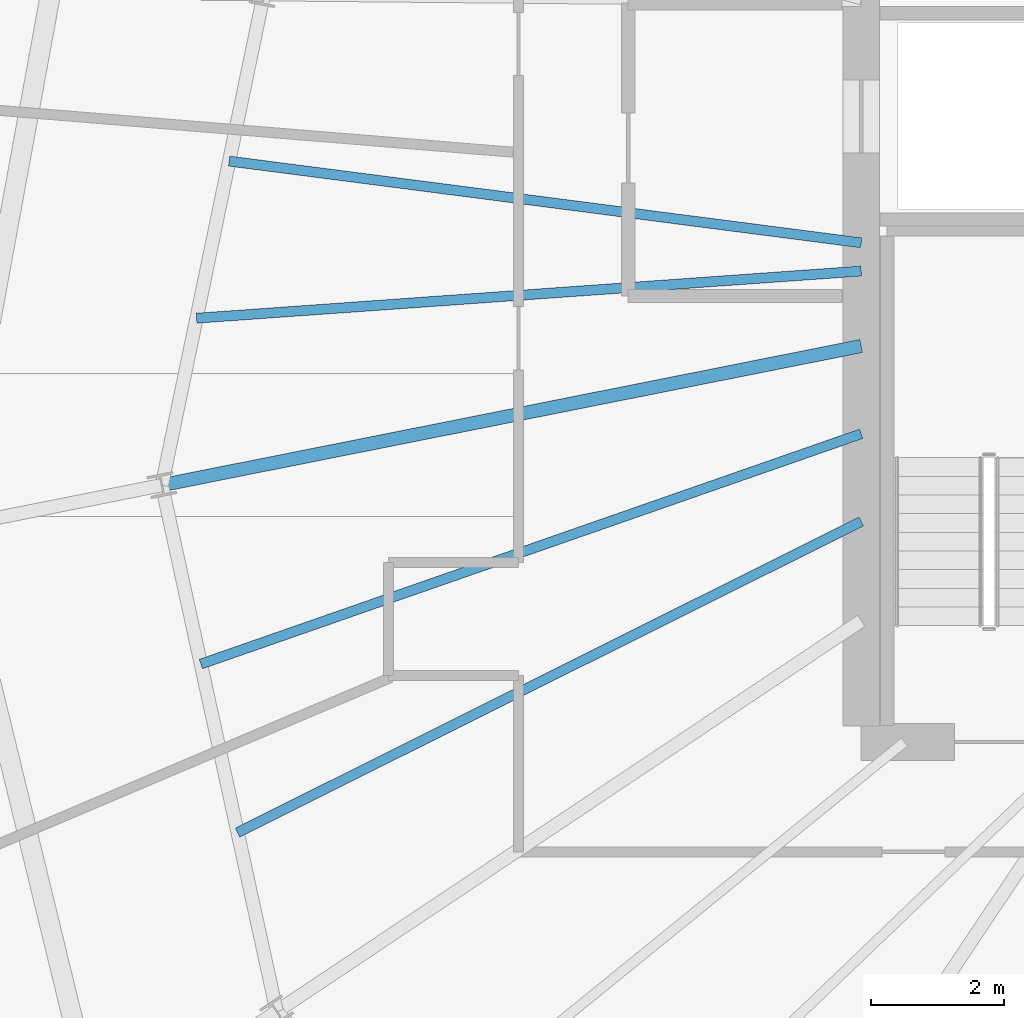
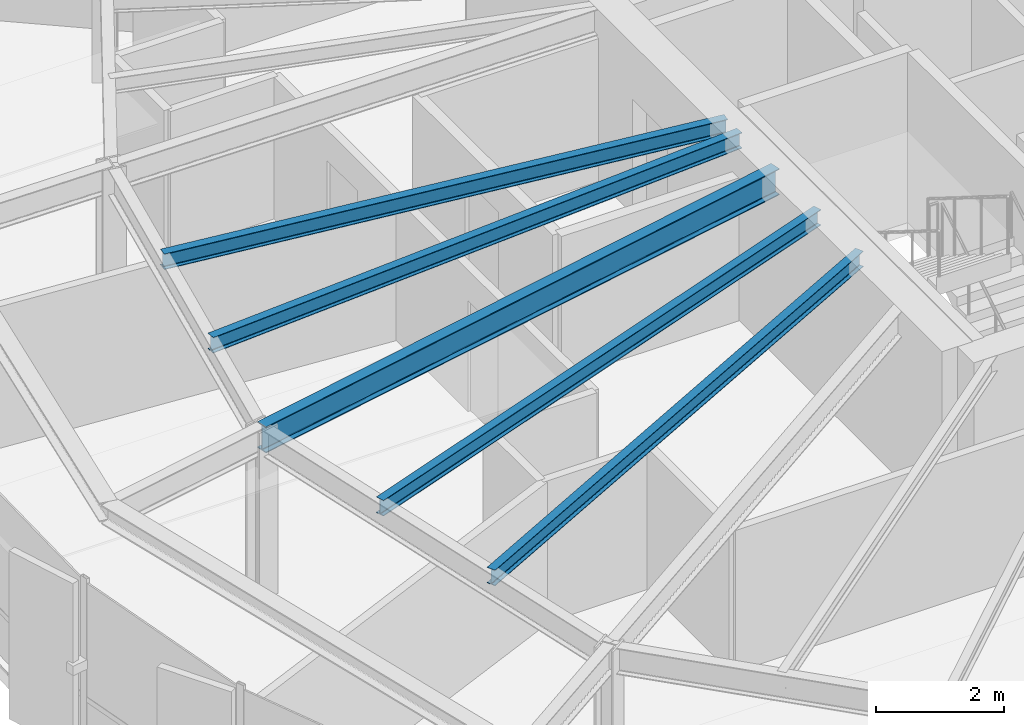
# One storey, part 10 of 35: 5 beams.
"""IFC4 building model written with IfcOpenShell, lengths in metres."""

from ifc_helpers import new_model, si_unit, direction, frame, origin, origin_2d, place, context, subcontext, project, spatial, i_section, extrude, source, transform, mapped, material, material_profile, profile_set, type_object, element, save


model = new_model("IFC4")

# Units and contexts
model_context = context("Model", 3, precision=1e-05, world=origin(), true_north=direction((0.0, 1.0)))
body_context = subcontext(model_context, "Body", "Model", "MODEL_VIEW")
ifc_project = project(units=[si_unit("LENGTHUNIT", "METRE"), si_unit("AREAUNIT", "SQUARE_METRE"), si_unit("VOLUMEUNIT", "CUBIC_METRE"), si_unit("PLANEANGLEUNIT", "RADIAN"), si_unit("MASSUNIT", "GRAM", prefix="KILO"), si_unit("THERMODYNAMICTEMPERATUREUNIT", "KELVIN")], contexts=[model_context])

# Site, building, storey
site_placement = place(None, origin())
site = spatial("IfcSite", under=ifc_project, at=site_placement, CompositionType="ELEMENT")
building_placement = place(site_placement, origin())
building = spatial("IfcBuilding", under=site, at=building_placement, Name="Kethvar Cultural Tower", CompositionType="ELEMENT")
storey_placement = place(building_placement, frame((0.0, 0.0, 193.89990234375)))
storey = spatial("IfcBuildingStorey", under=building, at=storey_placement, Name="L50", CompositionType="ELEMENT", Elevation=193.89990234375)

# Beams
ifc_material = material(Name="Steel S355J2", Category="steel")
ifc_material_profile_1 = material_profile(ifc_material, i_section(OverallWidth=0.199951171875, OverallDepth=0.5, WebThickness=0.01025390625, FlangeThickness=0.01611328125, FilletRadius=0.02099609375, at=origin_2d()), Name="Steel S355J2 — IPE500")
ifc_profile_set_1 = profile_set([ifc_material_profile_1], Name="Steel S355J2 — IPE500")
beam_type_1 = type_object("IfcBeamType", Name="BM-IPE500", PredefinedType="BEAM", material=ifc_profile_set_1)
shared_shape_1 = source(origin(), body_context, "Body", "SweptSolid", [
    extrude(i_section(OverallWidth=0.199951171875, OverallDepth=0.5, WebThickness=0.01025390625, FlangeThickness=0.01611328125, FilletRadius=0.02099609375, at=origin_2d()), origin(), (0.0, 0.0, 1.0), 10.712890625),
])
beam_1_placement = place(storey_placement, frame((38.0, 26.049560546875, 3.008056640625), z_axis=(-0.980787859831, -0.195077353908, 0.0), x_axis=(0.195077353908, -0.980787859831, 0.0)))
element("IfcBeam", 1, at=beam_1_placement, inside=storey, type_object=beam_type_1, Name="L50 Primary Radial Beam RB-09", PredefinedType="BEAM", context=body_context, shape_type="MappedRepresentation", body=[
    mapped(shared_shape_1, transform((0.0, 0.0, 0.0), scale=1.0)),
])
ifc_material_profile_2 = material_profile(ifc_material, i_section(OverallWidth=0.14990234375, OverallDepth=0.300048828125, WebThickness=0.007080078125, FlangeThickness=0.0107421875, FilletRadius=0.014892578125, at=origin_2d()), Name="Steel S355J2 — IPE300")
ifc_profile_set_2 = profile_set([ifc_material_profile_2], Name="Steel S355J2 — IPE300")
beam_type_2 = type_object("IfcBeamType", Name="BM-J300", PredefinedType="JOIST", material=ifc_profile_set_2)
shared_shape_2 = source(origin(), body_context, "Body", "SweptSolid", [
    extrude(i_section(OverallWidth=0.14990234375, OverallDepth=0.300048828125, WebThickness=0.007080078125, FlangeThickness=0.0107421875, FilletRadius=0.014892578125, at=origin_2d()), origin(), (0.0, 0.0, 1.0), 9.5751953125),
])
beam_2_placement = place(storey_placement, frame((38.0, 27.60009765625, 3.108154296875), z_axis=(-0.991744950922, 0.128226176424, 0.0), x_axis=(-0.128226176424, -0.991744950922, 0.0)))
element("IfcBeam", 2, at=beam_2_placement, inside=storey, type_object=beam_type_2, Name="L50 Composite Floor Joist J-08A", PredefinedType="JOIST", context=body_context, shape_type="MappedRepresentation", body=[
    mapped(shared_shape_2, transform((0.0, 0.0, 0.0), scale=1.0)),
])
shared_shape_3 = source(origin(), body_context, "Body", "SweptSolid", [
    extrude(i_section(OverallWidth=0.14990234375, OverallDepth=0.300048828125, WebThickness=0.007080078125, FlangeThickness=0.0107421875, FilletRadius=0.014892578125, at=origin_2d()), origin(), (0.0, 0.0, 1.0), 10.01123046875),
])
beam_3_placement = place(storey_placement, frame((38.0, 27.17578125, 3.108154296875), z_axis=(-0.997494349679, -0.070746182637, 0.0), x_axis=(0.070746182637, -0.997494349679, 0.0)))
element("IfcBeam", 3, at=beam_3_placement, inside=storey, type_object=beam_type_2, Name="L50 Composite Floor Joist J-08B", PredefinedType="JOIST", context=body_context, shape_type="MappedRepresentation", body=[
    mapped(shared_shape_3, transform((0.0, 0.0, 0.0), scale=1.0)),
])
shared_shape_4 = source(origin(), body_context, "Body", "SweptSolid", [
    extrude(i_section(OverallWidth=0.14990234375, OverallDepth=0.300048828125, WebThickness=0.007080078125, FlangeThickness=0.0107421875, FilletRadius=0.014892578125, at=origin_2d()), origin(), (0.0, 0.0, 1.0), 10.506591796875),
])
beam_4_placement = place(storey_placement, frame((38.0, 24.73095703125, 3.108154296875), z_axis=(-0.944221858738, -0.329310008171, 0.0), x_axis=(0.329310008171, -0.944221858738, 0.0)))
element("IfcBeam", 4, at=beam_4_placement, inside=storey, type_object=beam_type_2, Name="L50 Composite Floor Joist J-09A", PredefinedType="JOIST", context=body_context, shape_type="MappedRepresentation", body=[
    mapped(shared_shape_4, transform((0.0, 0.0, 0.0), scale=1.0)),
])
shared_shape_5 = source(origin(), body_context, "Body", "SweptSolid", [
    extrude(i_section(OverallWidth=0.14990234375, OverallDepth=0.300048828125, WebThickness=0.007080078125, FlangeThickness=0.0107421875, FilletRadius=0.014892578125, at=origin_2d()), origin(), (0.0, 0.0, 1.0), 10.468994140625),
])
beam_5_placement = place(storey_placement, frame((38.0, 23.412109375, 3.108154296875), z_axis=(-0.894916380948, -0.446233874904, 0.0), x_axis=(0.446233874904, -0.894916380948, 0.0)))
element("IfcBeam", 5, at=beam_5_placement, inside=storey, type_object=beam_type_2, Name="L50 Composite Floor Joist J-09B", PredefinedType="JOIST", context=body_context, shape_type="MappedRepresentation", body=[
    mapped(shared_shape_5, transform((0.0, 0.0, 0.0), scale=1.0)),
])

save(model, "model.ifc")
